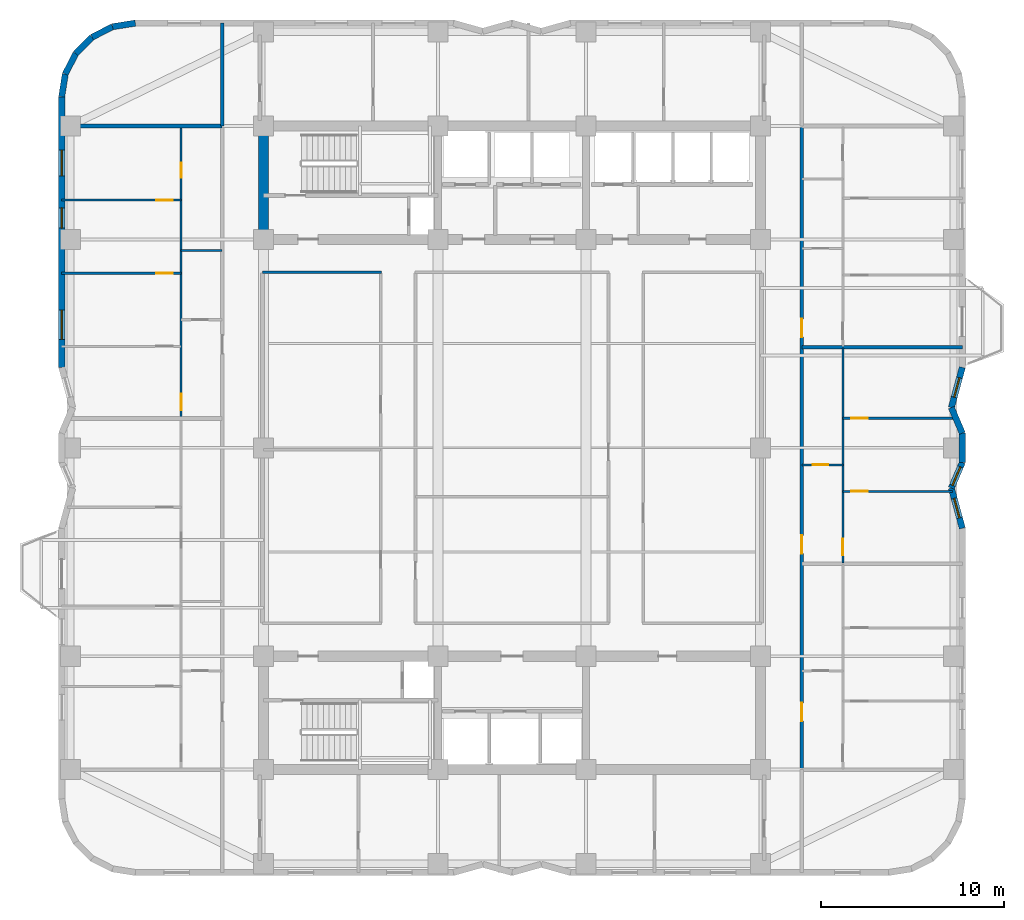
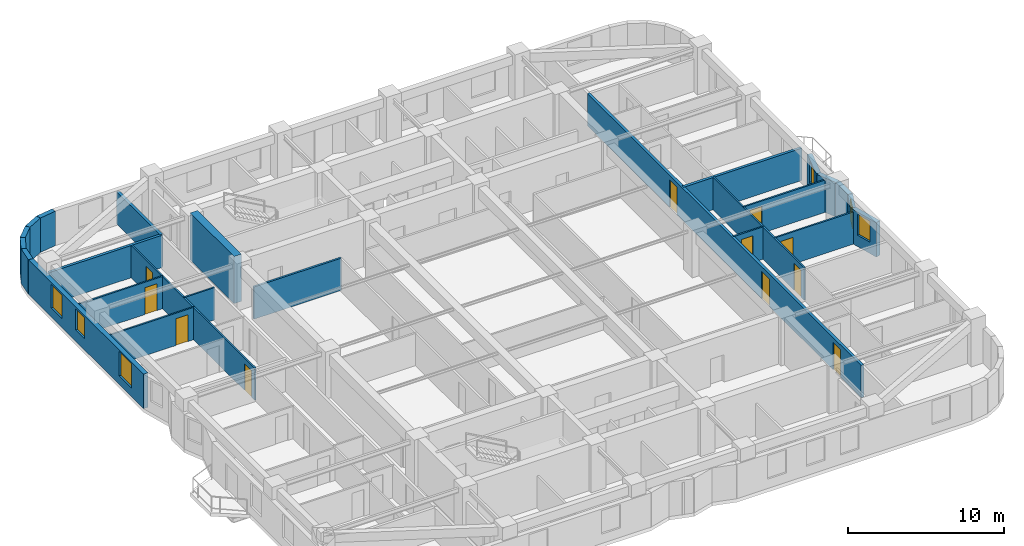
# One storey, part 5 of 9: 25 walls, 11 doors, 6 windows, 17 openings.
"""IFC4 building model written with IfcOpenShell, lengths in metres."""

import ifcopenshell
import ifcopenshell.guid

model = None  # the IFC model being written
_history = None  # IfcOwnerHistory: only IFC2X3 demands one
_inside = {}  # id of a spatial element -> (the spatial element, [elements in it])
_under = {}  # id of a project, library or spatial element -> (it, [spatial elements below it])
_declared = {}  # id of a project -> (the project, [libraries it declares])
_typed = {}  # id of a type object -> (the type object, [elements of that type])
_made_of = {}  # id of a material, layer set ... -> (it, [elements and type objects made of it])


def new_model(schema):
    """Start an empty IFC model of exactly this schema.

    Asked for "IFC4X3", IfcOpenShell would pick the latest addendum, in which some entities
    have other attributes; the version numbers below select the first issue.
    IFC2X3 requires an IfcOwnerHistory on every rooted entity: one is made here for all.
    """
    global model, _history
    if schema == "IFC4X3":
        model = ifcopenshell.file(schema_version=(4, 3, 0, 0))
    else:
        model = ifcopenshell.file(schema=schema)
    _inside.clear()
    _under.clear()
    _declared.clear()
    _typed.clear()
    _made_of.clear()
    _history = None
    if model.schema == "IFC2X3":
        org = make("IfcOrganization", Name="unknown")
        user = make(
            "IfcPersonAndOrganization",
            ThePerson=make("IfcPerson", FamilyName="unknown"),
            TheOrganization=org,
        )
        app = make(
            "IfcApplication",
            ApplicationDeveloper=org,
            Version="unknown",
            ApplicationFullName="unknown",
            ApplicationIdentifier="unknown",
        )
        _history = make(
            "IfcOwnerHistory",
            OwningUser=user,
            OwningApplication=app,
            ChangeAction="ADDED",
            CreationDate=0,
        )
    return model


def make(cls, **values):
    """One entity of the class cls with the attributes given. An attribute that is None is left unset."""
    return model.create_entity(
        cls, **{name: value for name, value in values.items() if value is not None}
    )


def rooted(cls, **values):
    """An entity with a GlobalId (a new one), such as an element, a storey or a relation."""
    return make(cls, GlobalId=ifcopenshell.guid.new(), OwnerHistory=_history, **values)


def si_unit(unit_type, name, prefix=None):
    """IfcSIUnit, for example si_unit("LENGTHUNIT", "METRE", prefix="MILLI")."""
    return make("IfcSIUnit", UnitType=unit_type, Prefix=prefix, Name=name)


def assignment(units):
    """IfcUnitAssignment: the units of a project."""
    return None if units is None else make("IfcUnitAssignment", Units=units)


def point(xyz):
    """IfcCartesianPoint."""
    return None if xyz is None else make("IfcCartesianPoint", Coordinates=xyz)


def direction(xyz):
    """IfcDirection."""
    return None if xyz is None else make("IfcDirection", DirectionRatios=xyz)


def frame(location, z_axis=None, x_axis=None):
    """IfcAxis2Placement3D, a coordinate frame: its origin and axes. An axis left out is left unset."""
    return make(
        "IfcAxis2Placement3D",
        Location=point(location),
        Axis=direction(z_axis),
        RefDirection=direction(x_axis),
    )


def frame_2d(location, x_axis=None):
    """IfcAxis2Placement2D, a coordinate frame in the plane: its origin and x axis."""
    return make(
        "IfcAxis2Placement2D", Location=point(location), RefDirection=direction(x_axis)
    )


def origin():
    """The frame at (0, 0, 0) with its axes left unset."""
    return frame((0.0, 0.0, 0.0))


def place(relative_to, where):
    """IfcLocalPlacement: puts the frame where relative to a parent placement (None: the world)."""
    return make(
        "IfcLocalPlacement", PlacementRelTo=relative_to, RelativePlacement=where
    )


def context(
    kind, dimensions, precision=None, world=None, true_north=None, identifier=None
):
    """IfcGeometricRepresentationContext, for example the 3D "Model" context."""
    return make(
        "IfcGeometricRepresentationContext",
        ContextIdentifier=identifier,
        ContextType=kind,
        CoordinateSpaceDimension=dimensions,
        Precision=precision,
        WorldCoordinateSystem=world,
        TrueNorth=true_north,
    )


def subcontext(parent, identifier, kind, view, scale=None):
    """IfcGeometricRepresentationSubContext, for example "Body" below "Model"."""
    return make(
        "IfcGeometricRepresentationSubContext",
        ContextIdentifier=identifier,
        ContextType=kind,
        ParentContext=parent,
        TargetScale=scale,
        TargetView=view,
    )


def project(units=None, contexts=None):
    """IfcProject with its units and contexts."""
    return rooted(
        "IfcProject",
        Name="project",
        RepresentationContexts=contexts,
        UnitsInContext=assignment(units),
    )


def spatial(cls, under=None, at=None, **own):
    """A site, building, storey or space (cls), placed at a placement, below another one or the project."""
    s = rooted(cls, ObjectPlacement=at, **own)
    if under is not None:
        _under.setdefault(under.id(), (under, []))[1].append(s)
    return s


def profile(cls, at=None, kind="AREA", **sizes):
    """A parametric profile (cls). Its sizes go by their IFC names, for example OverallWidth=200.0."""
    return make(cls, ProfileType=kind, Position=at, **sizes)


def rectangle(**sizes):
    """IfcRectangleProfileDef."""
    return profile("IfcRectangleProfileDef", **sizes)


def extrude(swept, where, along, depth):
    """IfcExtrudedAreaSolid: the profile swept, set in the frame where, extruded along a direction by depth."""
    return make(
        "IfcExtrudedAreaSolid",
        SweptArea=swept,
        Position=where,
        ExtrudedDirection=direction(along),
        Depth=depth,
    )


def shape(context_of_items, identifier, shape_type, items):
    """IfcShapeRepresentation: the items that make up one representation, for example the "Body"."""
    return make(
        "IfcShapeRepresentation",
        ContextOfItems=context_of_items,
        RepresentationIdentifier=identifier,
        RepresentationType=shape_type,
        Items=items,
    )


def material(Name=None, Category=None):
    """IfcMaterial."""
    return make("IfcMaterial", Name=Name, Category=Category)


def layer(
    of_material, thickness, ventilated=None, Name=None, Category=None, Priority=None
):
    """IfcMaterialLayer: one layer of a wall or slab, of a material (None: an air gap)."""
    return make(
        "IfcMaterialLayer",
        Material=of_material,
        LayerThickness=thickness,
        IsVentilated=ventilated,
        Name=Name,
        Category=Category,
        Priority=Priority,
    )


def layer_set(layers, Name=None):
    """IfcMaterialLayerSet."""
    return make("IfcMaterialLayerSet", MaterialLayers=layers, LayerSetName=Name)


def made_of(thing, what):
    """Note that an element or type object is made of a material, layer set ...; save() writes the relation."""
    if what is not None:
        _made_of.setdefault(what.id(), (what, []))[1].append(thing)
    return thing


def type_object(cls, material=None, **own):
    """A type object (cls), such as IfcWallType, which elements share."""
    return made_of(rooted(cls, **own), material)


def element(
    cls,
    number,
    at=None,
    inside=None,
    cuts=None,
    type_object=None,
    material=None,
    context=None,
    identifier="Body",
    shape_type=None,
    held_by="IfcProductDefinitionShape",
    body=None,
    shapes=None,
    **own,
):
    """One element of the class cls, such as IfcWall. Its Tag is "e" and its number.

    at: its placement. inside: the storey or other place that contains it. cuts: it is an
    opening in that element (IfcRelVoidsElement). A single representation is given by context,
    identifier, shape_type and body (its items); several are given by shapes. held_by: the class
    of the entity that holds the representations. save() writes the other relations.
    """
    e = rooted(cls, Tag="e%d" % number, ObjectPlacement=at, **own)
    if body is not None:
        shapes = [shape(context, identifier, shape_type, body)]
    if shapes is not None:
        e.Representation = make(held_by, Representations=shapes)
    if inside is not None:
        _inside.setdefault(inside.id(), (inside, []))[1].append(e)
    if cuts is not None:
        rooted(
            "IfcRelVoidsElement", RelatingBuildingElement=cuts, RelatedOpeningElement=e
        )
    if type_object is not None:
        _typed.setdefault(type_object.id(), (type_object, []))[1].append(e)
    return made_of(e, material)


def fill(opening, filler):
    """IfcRelFillsElement: the door or window that sits in an opening."""
    return rooted(
        "IfcRelFillsElement",
        RelatingOpeningElement=opening,
        RelatedBuildingElement=filler,
    )


def aggregate(whole, parts):
    """IfcRelAggregates: a whole, such as a stair, and the parts it consists of."""
    return rooted("IfcRelAggregates", RelatingObject=whole, RelatedObjects=parts)


def save(model, path):
    """Write the relations noted so far, then the file.

    IfcRelAggregates (storeys below a building ...), IfcRelContainedInSpatialStructure (elements
    in a storey), IfcRelDefinesByType, IfcRelAssociatesMaterial and IfcRelDeclares: one each for
    every whole, place, type object, material and project.
    """
    for whole, parts in _under.values():
        aggregate(whole, parts)
    for where, things in _inside.values():
        rooted(
            "IfcRelContainedInSpatialStructure",
            RelatedElements=things,
            RelatingStructure=where,
        )
    for kind, things in _typed.values():
        rooted("IfcRelDefinesByType", RelatedObjects=things, RelatingType=kind)
    for what, things in _made_of.values():
        rooted("IfcRelAssociatesMaterial", RelatedObjects=things, RelatingMaterial=what)
    for by, libraries in _declared.values():
        rooted("IfcRelDeclares", RelatingContext=by, RelatedDefinitions=libraries)
    model.write(path)


model = new_model("IFC4")

# Units and contexts
model_context = context("Model", 3, precision=1e-05, world=origin(), true_north=direction((0.0, 1.0)))
body_context = subcontext(model_context, "Body", "Model", "MODEL_VIEW")
ifc_project = project(units=[si_unit("LENGTHUNIT", "METRE"), si_unit("AREAUNIT", "SQUARE_METRE"), si_unit("VOLUMEUNIT", "CUBIC_METRE"), si_unit("PLANEANGLEUNIT", "RADIAN"), si_unit("MASSUNIT", "GRAM", prefix="KILO")], contexts=[model_context])

# Site, building, storey
site_placement = place(None, origin())
site = spatial("IfcSite", under=ifc_project, at=site_placement, CompositionType="ELEMENT")
building_placement = place(site_placement, origin())
building = spatial("IfcBuilding", under=site, at=building_placement, Name="Svetorya Sky Lyceum", CompositionType="ELEMENT")
storey_placement = place(building_placement, frame((0.0, 0.0, 92.0)))
storey = spatial("IfcBuildingStorey", under=building, at=storey_placement, Name="L22", CompositionType="ELEMENT", Elevation=92.0)

# Wall
ifc_material_1 = material(Name="Concrete C60/75", Category="concrete")
ifc_layer_1 = layer(ifc_material_1, 0.550048828125)
ifc_layer_set_1 = layer_set([ifc_layer_1], Name="Concrete C60/75")
wall_type_1 = type_object("IfcWallType", Name="WL-CORE-550", PredefinedType="SHEAR", material=ifc_layer_set_1)
wall_1_placement = place(storey_placement, frame((25.60009765625, 39.875, 0.0), z_axis=(0.0, 0.0, 1.0), x_axis=(0.0, 1.0, 0.0)))
element("IfcWall", 1, at=wall_1_placement, inside=storey, type_object=wall_type_1, Name="L22 NC West Core Shear Wall", PredefinedType="SHEAR", context=body_context, shape_type="SweptSolid", body=[
    extrude(rectangle(XDim=5.64990234375, YDim=0.550048828125, at=frame_2d((2.824951171875, 0.0))), origin(), (0.0, 0.0, 1.0), 3.699951171875),
])

# Wall, opening, window
ifc_material_2 = material(Name="Putilovo limestone rainscreen on autoclaved cellular masonry", Category="masonry")
ifc_layer_2 = layer(ifc_material_2, 0.340087890625)
ifc_layer_set_2 = layer_set([ifc_layer_2], Name="Putilovo limestone rainscreen on autoclaved cellular masonry")
wall_type_2 = type_object("IfcWallType", Name="WL-EXT-340", PredefinedType="SOLIDWALL", material=ifc_layer_set_2)
wall_2_placement = place(storey_placement, frame((63.830078125, 23.800048828125, 0.0), z_axis=(0.0, 0.0, 1.0), x_axis=(-0.263162701705, 0.964751466665, 0.0)))
wall_2 = element("IfcWall", 2, at=wall_2_placement, inside=storey, type_object=wall_type_2, Name="L22 Limestone Exterior Wall 18M", PredefinedType="SOLIDWALL", context=body_context, shape_type="SweptSolid", body=[
    extrude(rectangle(XDim=2.2802734375, YDim=0.340087890625, at=frame_2d((1.14013671875, 0.0))), origin(), (0.0, 0.0, 1.0), 2.699951171875),
])
opening_1_placement = place(wall_2_placement, frame((0.590087890625, 0.0, 0.889892578125)))
opening_1 = element("IfcOpeningElement", 3, at=opening_1_placement, cuts=wall_2, Name="Opening W-R3", PredefinedType="OPENING", context=body_context, shape_type="SweptSolid", body=[
    extrude(rectangle(XDim=1.10009765625, YDim=1.64990234375, at=frame_2d((0.550048828125, 0.824951171875))), frame((0.0, 0.179931640625, 0.0), z_axis=(0.0, -1.0, 0.0), x_axis=(1.0, 0.0, 0.0)), (0.0, 0.0, 1.0), 0.360107421875),
])
ifc_material_3 = material(Name="Thermally broken aluminium frame with triple low-E glazing", Category="aluminium")
window_type_1 = type_object("IfcWindowType", Name="WN-RES-110", PartitioningType="SINGLE_PANEL", PredefinedType="WINDOW", material=ifc_material_3)
window_1_placement = place(opening_1_placement, origin())
window_1 = element("IfcWindow", 4, at=window_1_placement, inside=storey, type_object=window_type_1, Name="L22 Facade Window W-R3.18M.1", OverallHeight=1.64990234375, OverallWidth=1.10009765625, PartitioningType="SINGLE_PANEL", PredefinedType="WINDOW", context=body_context, shape_type="SweptSolid", body=[
    extrude(rectangle(XDim=1.10009765625, YDim=1.64990234375, at=frame_2d((0.550048828125, 0.824951171875))), frame((0.0, 0.030029296875, 0.0), z_axis=(0.0, -1.0, 0.0), x_axis=(1.0, 0.0, 0.0)), (0.0, 0.0, 1.0), 0.06005859375),
])
fill(opening_1, window_1)

wall_3_placement = place(storey_placement, frame((63.22998046875, 26.0, 0.0), z_axis=(0.0, 0.0, 1.0), x_axis=(0.39399667932, 0.919111862988, 0.0)))
wall_3 = element("IfcWall", 5, at=wall_3_placement, inside=storey, type_object=wall_type_2, Name="L22 Limestone Exterior Wall 19M", PredefinedType="SOLIDWALL", context=body_context, shape_type="SweptSolid", body=[
    extrude(rectangle(XDim=1.523193359375, YDim=0.340087890625, at=frame_2d((0.76171875, 0.0))), origin(), (0.0, 0.0, 1.0), 2.699951171875),
])
opening_2_placement = place(wall_3_placement, frame((0.159912109375, 0.0, 0.889892578125)))
opening_2 = element("IfcOpeningElement", 6, at=opening_2_placement, cuts=wall_3, Name="Opening W-R3", PredefinedType="OPENING", context=body_context, shape_type="SweptSolid", body=[
    extrude(rectangle(XDim=1.10009765625, YDim=1.64990234375, at=frame_2d((0.550048828125, 0.824951171875))), frame((0.0, 0.179931640625, 0.0), z_axis=(0.0, -1.0, 0.0), x_axis=(1.0, 0.0, 0.0)), (0.0, 0.0, 1.0), 0.360107421875),
])
window_2_placement = place(opening_2_placement, origin())
window_2 = element("IfcWindow", 7, at=window_2_placement, inside=storey, type_object=window_type_1, Name="L22 Facade Window W-R3.19M.1", OverallHeight=1.64990234375, OverallWidth=1.10009765625, PartitioningType="SINGLE_PANEL", PredefinedType="WINDOW", context=body_context, shape_type="SweptSolid", body=[
    extrude(rectangle(XDim=1.10009765625, YDim=1.64990234375, at=frame_2d((0.550048828125, 0.824951171875))), frame((0.0, 0.030029296875, 0.0), z_axis=(0.0, -1.0, 0.0), x_axis=(1.0, 0.0, 0.0)), (0.0, 0.0, 1.0), 0.06005859375),
])
fill(opening_2, window_2)

# Walls
wall_4_placement = place(storey_placement, frame((63.830078125, 27.39990234375, 0.0), z_axis=(0.0, 0.0, 1.0), x_axis=(0.0, 1.0, 0.0)))
element("IfcWall", 8, at=wall_4_placement, inside=storey, type_object=wall_type_2, Name="L22 Limestone Exterior Wall 20M", PredefinedType="SOLIDWALL", context=body_context, shape_type="SweptSolid", body=[
    extrude(rectangle(XDim=1.60009765625, YDim=0.340087890625, at=frame_2d((0.800048828125, 0.0))), origin(), (0.0, 0.0, 1.0), 2.699951171875),
])
wall_5_placement = place(storey_placement, frame((63.830078125, 29.0, 0.0), z_axis=(0.0, 0.0, 1.0), x_axis=(-0.39399667932, 0.919111862988, 0.0)))
element("IfcWall", 9, at=wall_5_placement, inside=storey, type_object=wall_type_2, Name="L22 Limestone Exterior Wall 21M", PredefinedType="SOLIDWALL", context=body_context, shape_type="SweptSolid", body=[
    extrude(rectangle(XDim=1.523193359375, YDim=0.340087890625, at=frame_2d((0.76171875, 0.0))), origin(), (0.0, 0.0, 1.0), 2.699951171875),
])

# Wall, opening, window
wall_6_placement = place(storey_placement, frame((63.22998046875, 30.39990234375, 0.0), z_axis=(0.0, 0.0, 1.0), x_axis=(0.263135522356, 0.964758880174, 0.0)))
wall_6 = element("IfcWall", 10, at=wall_6_placement, inside=storey, type_object=wall_type_2, Name="L22 Limestone Exterior Wall 22M", PredefinedType="SOLIDWALL", context=body_context, shape_type="SweptSolid", body=[
    extrude(rectangle(XDim=2.280517578125, YDim=0.340087890625, at=frame_2d((1.14013671875, 0.0))), origin(), (0.0, 0.0, 1.0), 2.699951171875),
])
opening_3_placement = place(wall_6_placement, frame((0.590087890625, 0.0, 0.889892578125)))
opening_3 = element("IfcOpeningElement", 11, at=opening_3_placement, cuts=wall_6, Name="Opening W-R3", PredefinedType="OPENING", context=body_context, shape_type="SweptSolid", body=[
    extrude(rectangle(XDim=1.10009765625, YDim=1.64990234375, at=frame_2d((0.550048828125, 0.824951171875))), frame((0.0, 0.179931640625, 0.0), z_axis=(0.0, -1.0, 0.0), x_axis=(1.0, 0.0, 0.0)), (0.0, 0.0, 1.0), 0.360107421875),
])
window_3_placement = place(opening_3_placement, origin())
window_3 = element("IfcWindow", 12, at=window_3_placement, inside=storey, type_object=window_type_1, Name="L22 Facade Window W-R3.22M.1", OverallHeight=1.64990234375, OverallWidth=1.10009765625, PartitioningType="SINGLE_PANEL", PredefinedType="WINDOW", context=body_context, shape_type="SweptSolid", body=[
    extrude(rectangle(XDim=1.10009765625, YDim=1.64990234375, at=frame_2d((0.550048828125, 0.824951171875))), frame((0.0, 0.030029296875, 0.0), z_axis=(0.0, -1.0, 0.0), x_axis=(1.0, 0.0, 0.0)), (0.0, 0.0, 1.0), 0.06005859375),
])
fill(opening_3, window_3)

# Walls
wall_7_placement = place(storey_placement, frame((18.60009765625, 51.429931640625, 0.0), z_axis=(0.0, 0.0, 1.0), x_axis=(-0.98771582066, -0.156260864002, 0.0)))
element("IfcWall", 13, at=wall_7_placement, inside=storey, type_object=wall_type_2, Name="L22 Limestone Exterior Wall 35M", PredefinedType="SOLIDWALL", context=body_context, shape_type="SweptSolid", body=[
    extrude(rectangle(XDim=1.2607421875, YDim=0.340087890625, at=frame_2d((0.63037109375, 0.0))), origin(), (0.0, 0.0, 1.0), 2.699951171875),
])
for number, where, z_axis, x_axis, name in (
    (14, (17.354736328125, 51.23291015625, 0.0), (0.0, 0.0, 1.0), (-0.890993689142, -0.454015689056, 0.0), "L22 Limestone Exterior Wall 36M"),
    (15, (16.231201171875, 50.660400390625, 0.0), (0.0, 0.0, 1.0), (-0.707106781187, -0.707106781187, 0.0), "L22 Limestone Exterior Wall 37M"),
    (16, (15.339599609375, 49.768798828125, 0.0), (0.0, 0.0, 1.0), (-0.454015689056, -0.890993689142, 0.0), "L22 Limestone Exterior Wall 38M"),
):
    element("IfcWall", number, at=place(storey_placement, frame(where, z_axis=z_axis, x_axis=x_axis)), inside=storey, type_object=wall_type_2, Name=name, PredefinedType="SOLIDWALL", context=body_context, shape_type="SweptSolid", body=[
        extrude(rectangle(XDim=1.260986328125, YDim=0.340087890625, at=frame_2d((0.63037109375, 0.0))), origin(), (0.0, 0.0, 1.0), 2.699951171875),
    ])
wall_8_placement = place(storey_placement, frame((14.76708984375, 48.645263671875, 0.0), z_axis=(0.0, 0.0, 1.0), x_axis=(-0.156260864002, -0.98771582066, 0.0)))
element("IfcWall", 17, at=wall_8_placement, inside=storey, type_object=wall_type_2, Name="L22 Limestone Exterior Wall 39M", PredefinedType="SOLIDWALL", context=body_context, shape_type="SweptSolid", body=[
    extrude(rectangle(XDim=1.2607421875, YDim=0.340087890625, at=frame_2d((0.63037109375, 0.0))), origin(), (0.0, 0.0, 1.0), 2.699951171875),
])

# Wall, openings, windows
wall_9_placement = place(storey_placement, frame((14.570068359375, 47.39990234375, 0.0), z_axis=(0.0, 0.0, 1.0), x_axis=(0.0, -1.0, 0.0)))
wall_9 = element("IfcWall", 18, at=wall_9_placement, inside=storey, type_object=wall_type_2, Name="L22 Limestone Exterior Wall 40M", PredefinedType="SOLIDWALL", context=body_context, shape_type="SweptSolid", body=[
    extrude(rectangle(XDim=14.7998046875, YDim=0.340087890625, at=frame_2d((7.39990234375, 0.0))), origin(), (0.0, 0.0, 1.0), 2.699951171875),
])
opening_4_placement = place(wall_9_placement, frame((2.919921875, 0.0, 0.68994140625)))
opening_4 = element("IfcOpeningElement", 19, at=opening_4_placement, cuts=wall_9, Name="Opening W-R2", PredefinedType="OPENING", context=body_context, shape_type="SweptSolid", body=[
    extrude(rectangle(XDim=1.39990234375, YDim=1.85009765625, at=frame_2d((0.699951171875, 0.925048828125))), frame((0.0, 0.179931640625, 0.0), z_axis=(0.0, -1.0, 0.0), x_axis=(1.0, 0.0, 0.0)), (0.0, 0.0, 1.0), 0.360107421875),
])
opening_5_placement = place(wall_9_placement, frame((6.080078125, 0.0, 0.889892578125)))
opening_5 = element("IfcOpeningElement", 20, at=opening_5_placement, cuts=wall_9, Name="Opening W-R3", PredefinedType="OPENING", context=body_context, shape_type="SweptSolid", body=[
    extrude(rectangle(XDim=1.10009765625, YDim=1.64990234375, at=frame_2d((0.550048828125, 0.824951171875))), frame((0.0, 0.179931640625, 0.0), z_axis=(0.0, -1.0, 0.0), x_axis=(1.0, 0.0, 0.0)), (0.0, 0.0, 1.0), 0.360107421875),
])
opening_6_placement = place(wall_9_placement, frame((11.66259765625, 0.0, 0.679931640625)))
opening_6 = element("IfcOpeningElement", 21, at=opening_6_placement, cuts=wall_9, Name="Opening W-R4", PredefinedType="OPENING", context=body_context, shape_type="SweptSolid", body=[
    extrude(rectangle(XDim=1.60009765625, YDim=1.89990234375, at=frame_2d((0.800048828125, 0.949951171875))), frame((0.0, 0.179931640625, 0.0), z_axis=(0.0, -1.0, 0.0), x_axis=(1.0, 0.0, 0.0)), (0.0, 0.0, 1.0), 0.360107421875),
])
window_4_placement = place(opening_5_placement, origin())
window_4 = element("IfcWindow", 22, at=window_4_placement, inside=storey, type_object=window_type_1, Name="L22 Facade Window W-R3.40M.2", OverallHeight=1.64990234375, OverallWidth=1.10009765625, PartitioningType="SINGLE_PANEL", PredefinedType="WINDOW", context=body_context, shape_type="SweptSolid", body=[
    extrude(rectangle(XDim=1.10009765625, YDim=1.64990234375, at=frame_2d((0.550048828125, 0.824951171875))), frame((0.0, 0.030029296875, 0.0), z_axis=(0.0, -1.0, 0.0), x_axis=(1.0, 0.0, 0.0)), (0.0, 0.0, 1.0), 0.06005859375),
])
fill(opening_5, window_4)
window_type_2 = type_object("IfcWindowType", Name="WN-RES-140", PartitioningType="SINGLE_PANEL", PredefinedType="WINDOW", material=ifc_material_3)
window_5_placement = place(opening_4_placement, origin())
window_5 = element("IfcWindow", 23, at=window_5_placement, inside=storey, type_object=window_type_2, Name="L22 Facade Window W-R2.40M.3", OverallHeight=1.85009765625, OverallWidth=1.39990234375, PartitioningType="SINGLE_PANEL", PredefinedType="WINDOW", context=body_context, shape_type="SweptSolid", body=[
    extrude(rectangle(XDim=1.39990234375, YDim=1.85009765625, at=frame_2d((0.699951171875, 0.925048828125))), frame((0.0, 0.030029296875, 0.0), z_axis=(0.0, -1.0, 0.0), x_axis=(1.0, 0.0, 0.0)), (0.0, 0.0, 1.0), 0.06005859375),
])
fill(opening_4, window_5)
window_type_3 = type_object("IfcWindowType", Name="WN-RES-160", PartitioningType="DOUBLE_PANEL_VERTICAL", PredefinedType="WINDOW", material=ifc_material_3)
window_6_placement = place(opening_6_placement, origin())
window_6 = element("IfcWindow", 24, at=window_6_placement, inside=storey, type_object=window_type_3, Name="L22 Facade Window W-R4.40M.1", OverallHeight=1.89990234375, OverallWidth=1.60009765625, PartitioningType="SINGLE_PANEL", PredefinedType="WINDOW", context=body_context, shape_type="SweptSolid", body=[
    extrude(rectangle(XDim=1.60009765625, YDim=1.89990234375, at=frame_2d((0.800048828125, 0.949951171875))), frame((0.0, 0.030029296875, 0.0), z_axis=(0.0, -1.0, 0.0), x_axis=(1.0, 0.0, 0.0)), (0.0, 0.0, 1.0), 0.06005859375),
])
fill(opening_6, window_6)

# Wall
ifc_material_4 = material(Name="Twin-stud galvanized framing with double fireboard", Category="gypsum")
ifc_layer_3 = layer(ifc_material_4, 0.1201171875)
ifc_layer_set_3 = layer_set([ifc_layer_3], Name="Twin-stud galvanized framing with double fireboard")
wall_type_3 = type_object("IfcWallType", Name="WL-PART-120", PredefinedType="PARTITIONING", material=ifc_layer_set_3)
wall_10_placement = place(storey_placement, frame((21.10009765625, 39.0, 0.0), z_axis=(0.0, 0.0, 1.0), x_axis=(1.0, 0.0, 0.0)))
element("IfcWall", 25, at=wall_10_placement, inside=storey, type_object=wall_type_3, Name="L22 Interior Partition W2-WH2", PredefinedType="PARTITIONING", context=body_context, shape_type="SweptSolid", body=[
    extrude(rectangle(XDim=2.25, YDim=0.1201171875, at=frame_2d((1.125, 0.0))), origin(), (0.0, 0.0, 1.0), 2.530029296875),
])

# Wall, opening, door
wall_11_placement = place(storey_placement, frame((14.570068359375, 37.75, 0.0), z_axis=(0.0, 0.0, 1.0), x_axis=(1.0, 0.0, 0.0)))
wall_11 = element("IfcWall", 26, at=wall_11_placement, inside=storey, type_object=wall_type_3, Name="L22 Interior Partition W2-WL2", PredefinedType="PARTITIONING", context=body_context, shape_type="SweptSolid", body=[
    extrude(rectangle(XDim=6.530029296875, YDim=0.1201171875, at=frame_2d((3.26513671875, 0.0))), origin(), (0.0, 0.0, 1.0), 2.530029296875),
])
opening_7_placement = place(wall_11_placement, frame((5.179931640625, 0.0, 0.0)))
opening_7 = element("IfcOpeningElement", 27, at=opening_7_placement, cuts=wall_11, Name="Opening D-RM1", PredefinedType="OPENING", context=body_context, shape_type="SweptSolid", body=[
    extrude(rectangle(XDim=0.89990234375, YDim=2.10009765625, at=frame_2d((0.449951171875, 1.050048828125))), frame((0.0, 0.070068359375, 0.0), z_axis=(0.0, -1.0, 0.0), x_axis=(1.0, 0.0, 0.0)), (0.0, 0.0, 1.0), 0.14013671875),
])
ifc_material_5 = material(Name="Lacquered birch veneer internal door")
door_type_1 = type_object("IfcDoorType", Name="DR-INT-900", OperationType="SINGLE_SWING_LEFT", PredefinedType="DOOR", material=ifc_material_5)
door_1_placement = place(opening_7_placement, origin())
door_1 = element("IfcDoor", 28, at=door_1_placement, inside=storey, type_object=door_type_1, Name="Apartment W2 Bedroom 2 Door", OperationType="SINGLE_SWING_LEFT", OverallHeight=2.10009765625, OverallWidth=0.89990234375, PredefinedType="DOOR", context=body_context, shape_type="SweptSolid", body=[
    extrude(rectangle(XDim=0.89990234375, YDim=2.10009765625, at=frame_2d((0.449951171875, 1.050048828125))), frame((0.0, 0.02490234375, 0.0), z_axis=(0.0, -1.0, 0.0), x_axis=(1.0, 0.0, 0.0)), (0.0, 0.0, 1.0), 0.050048828125),
])
fill(opening_7, door_1)

wall_12_placement = place(storey_placement, frame((14.570068359375, 41.75, 0.0), z_axis=(0.0, 0.0, 1.0), x_axis=(1.0, 0.0, 0.0)))
wall_12 = element("IfcWall", 29, at=wall_12_placement, inside=storey, type_object=wall_type_3, Name="L22 Interior Partition W2-WL3", PredefinedType="PARTITIONING", context=body_context, shape_type="SweptSolid", body=[
    extrude(rectangle(XDim=6.530029296875, YDim=0.1201171875, at=frame_2d((3.26513671875, 0.0))), origin(), (0.0, 0.0, 1.0), 2.530029296875),
])
opening_8_placement = place(wall_12_placement, frame((5.179931640625, 0.0, 0.0)))
opening_8 = element("IfcOpeningElement", 30, at=opening_8_placement, cuts=wall_12, Name="Opening D-RM1", PredefinedType="OPENING", context=body_context, shape_type="SweptSolid", body=[
    extrude(rectangle(XDim=0.89990234375, YDim=2.10009765625, at=frame_2d((0.449951171875, 1.050048828125))), frame((0.0, 0.070068359375, 0.0), z_axis=(0.0, -1.0, 0.0), x_axis=(1.0, 0.0, 0.0)), (0.0, 0.0, 1.0), 0.14013671875),
])
door_2_placement = place(opening_8_placement, origin())
door_2 = element("IfcDoor", 31, at=door_2_placement, inside=storey, type_object=door_type_1, Name="Apartment W2 Bedroom 3 Door", OperationType="SINGLE_SWING_RIGHT", OverallHeight=2.10009765625, OverallWidth=0.89990234375, PredefinedType="DOOR", context=body_context, shape_type="SweptSolid", body=[
    extrude(rectangle(XDim=0.89990234375, YDim=2.10009765625, at=frame_2d((0.449951171875, 1.050048828125))), frame((0.0, 0.02490234375, 0.0), z_axis=(0.0, -1.0, 0.0), x_axis=(1.0, 0.0, 0.0)), (0.0, 0.0, 1.0), 0.050048828125),
])
fill(opening_8, door_2)

# Wall, openings, doors
wall_13_placement = place(storey_placement, frame((21.10009765625, 29.840087890625, 0.0), z_axis=(0.0, 0.0, 1.0), x_axis=(0.0, 1.0, 0.0)))
wall_13 = element("IfcWall", 32, at=wall_13_placement, inside=storey, type_object=wall_type_3, Name="L22 Interior Partition W2-WV", PredefinedType="PARTITIONING", context=body_context, shape_type="SweptSolid", body=[
    extrude(rectangle(XDim=15.919921875, YDim=0.1201171875, at=frame_2d((7.9599609375, 0.0))), origin(), (0.0, 0.0, 1.0), 2.530029296875),
])
opening_9_placement = place(wall_13_placement, frame((0.409912109375, 0.0, 0.0)))
opening_9 = element("IfcOpeningElement", 33, at=opening_9_placement, cuts=wall_13, Name="Opening D-RM1", PredefinedType="OPENING", context=body_context, shape_type="SweptSolid", body=[
    extrude(rectangle(XDim=0.89990234375, YDim=2.10009765625, at=frame_2d((0.449951171875, 1.050048828125))), frame((0.0, 0.070068359375, 0.0), z_axis=(0.0, -1.0, 0.0), x_axis=(1.0, 0.0, 0.0)), (0.0, 0.0, 1.0), 0.14013671875),
])
opening_10_placement = place(wall_13_placement, frame((13.125, 0.0, 0.0)))
opening_10 = element("IfcOpeningElement", 34, at=opening_10_placement, cuts=wall_13, Name="Opening D-BT2", PredefinedType="OPENING", context=body_context, shape_type="SweptSolid", body=[
    extrude(rectangle(XDim=0.820068359375, YDim=2.080078125, at=frame_2d((0.41015625, 1.0400390625))), frame((0.0, 0.070068359375, 0.0), z_axis=(0.0, -1.0, 0.0), x_axis=(1.0, 0.0, 0.0)), (0.0, 0.0, 1.0), 0.14013671875),
])
door_3_placement = place(opening_9_placement, origin())
door_3 = element("IfcDoor", 35, at=door_3_placement, inside=storey, type_object=door_type_1, Name="Apartment W2 Living Door", OperationType="SINGLE_SWING_LEFT", OverallHeight=2.10009765625, OverallWidth=0.89990234375, PredefinedType="DOOR", context=body_context, shape_type="SweptSolid", body=[
    extrude(rectangle(XDim=0.89990234375, YDim=2.10009765625, at=frame_2d((0.449951171875, 1.050048828125))), frame((0.0, 0.02490234375, 0.0), z_axis=(0.0, -1.0, 0.0), x_axis=(1.0, 0.0, 0.0)), (0.0, 0.0, 1.0), 0.050048828125),
])
fill(opening_9, door_3)
ifc_material_6 = material(Name="Compact moisture-resistant laminate closet door")
door_type_2 = type_object("IfcDoorType", Name="DR-WET-820", OperationType="SINGLE_SWING_LEFT", PredefinedType="DOOR", material=ifc_material_6)
door_4_placement = place(opening_10_placement, origin())
door_4 = element("IfcDoor", 36, at=door_4_placement, inside=storey, type_object=door_type_2, Name="Apartment W2 Study Door", OperationType="SINGLE_SWING_RIGHT", OverallHeight=2.080078125, OverallWidth=0.820068359375, PredefinedType="DOOR", context=body_context, shape_type="SweptSolid", body=[
    extrude(rectangle(XDim=0.820068359375, YDim=2.080078125, at=frame_2d((0.41015625, 1.0400390625))), frame((0.0, 0.02490234375, 0.0), z_axis=(0.0, -1.0, 0.0), x_axis=(1.0, 0.0, 0.0)), (0.0, 0.0, 1.0), 0.050048828125),
])
fill(opening_10, door_4)

# Wall, opening, door
wall_14_placement = place(storey_placement, frame((55.050048828125, 27.263916015625, 0.0), z_axis=(0.0, 0.0, 1.0), x_axis=(1.0, 0.0, 0.0)))
wall_14 = element("IfcWall", 37, at=wall_14_placement, inside=storey, type_object=wall_type_3, Name="L22 Interior Partition E2-WH1", PredefinedType="PARTITIONING", context=body_context, shape_type="SweptSolid", body=[
    extrude(rectangle(XDim=2.25, YDim=0.1201171875, at=frame_2d((1.125, 0.0))), origin(), (0.0, 0.0, 1.0), 2.530029296875),
])
opening_11_placement = place(wall_14_placement, frame((0.60009765625, 0.0, 0.0)))
opening_11 = element("IfcOpeningElement", 38, at=opening_11_placement, cuts=wall_14, Name="Opening D-BT1", PredefinedType="OPENING", context=body_context, shape_type="SweptSolid", body=[
    extrude(rectangle(XDim=0.85009765625, YDim=2.10009765625, at=frame_2d((0.425048828125, 1.050048828125))), frame((0.0, 0.070068359375, 0.0), z_axis=(0.0, -1.0, 0.0), x_axis=(1.0, 0.0, 0.0)), (0.0, 0.0, 1.0), 0.14013671875),
])
ifc_material_7 = material(Name="Moisture-resistant laminate bathroom door")
door_type_3 = type_object("IfcDoorType", Name="DR-WET-850", OperationType="SINGLE_SWING_LEFT", PredefinedType="DOOR", material=ifc_material_7)
door_5_placement = place(opening_11_placement, origin())
door_5 = element("IfcDoor", 39, at=door_5_placement, inside=storey, type_object=door_type_3, Name="Apartment E2 Bathroom Door", OperationType="SINGLE_SWING_LEFT", OverallHeight=2.10009765625, OverallWidth=0.85009765625, PredefinedType="DOOR", context=body_context, shape_type="SweptSolid", body=[
    extrude(rectangle(XDim=0.85009765625, YDim=2.10009765625, at=frame_2d((0.425048828125, 1.050048828125))), frame((0.0, 0.02490234375, 0.0), z_axis=(0.0, -1.0, 0.0), x_axis=(1.0, 0.0, 0.0)), (0.0, 0.0, 1.0), 0.050048828125),
])
fill(opening_11, door_5)

wall_15_placement = place(storey_placement, frame((57.300048828125, 25.81396484375, 0.0), z_axis=(0.0, 0.0, 1.0), x_axis=(1.0, 0.0, 0.0)))
wall_15 = element("IfcWall", 40, at=wall_15_placement, inside=storey, type_object=wall_type_3, Name="L22 Interior Partition E2-WL1", PredefinedType="PARTITIONING", context=body_context, shape_type="SweptSolid", body=[
    extrude(rectangle(XDim=5.980712890625, YDim=0.1201171875, at=frame_2d((2.990234375, 0.0))), origin(), (0.0, 0.0, 1.0), 2.530029296875),
])
opening_12_placement = place(wall_15_placement, frame((0.449951171875, 0.0, 0.0)))
opening_12 = element("IfcOpeningElement", 41, at=opening_12_placement, cuts=wall_15, Name="Opening D-RM1", PredefinedType="OPENING", context=body_context, shape_type="SweptSolid", body=[
    extrude(rectangle(XDim=0.89990234375, YDim=2.10009765625, at=frame_2d((0.449951171875, 1.050048828125))), frame((0.0, 0.070068359375, 0.0), z_axis=(0.0, -1.0, 0.0), x_axis=(1.0, 0.0, 0.0)), (0.0, 0.0, 1.0), 0.14013671875),
])
door_6_placement = place(opening_12_placement, origin())
door_6 = element("IfcDoor", 42, at=door_6_placement, inside=storey, type_object=door_type_1, Name="Apartment E2 Master Bedroom Door", OperationType="SINGLE_SWING_LEFT", OverallHeight=2.10009765625, OverallWidth=0.89990234375, PredefinedType="DOOR", context=body_context, shape_type="SweptSolid", body=[
    extrude(rectangle(XDim=0.89990234375, YDim=2.10009765625, at=frame_2d((0.449951171875, 1.050048828125))), frame((0.0, 0.02490234375, 0.0), z_axis=(0.0, -1.0, 0.0), x_axis=(1.0, 0.0, 0.0)), (0.0, 0.0, 1.0), 0.050048828125),
])
fill(opening_12, door_6)

wall_16_placement = place(storey_placement, frame((57.300048828125, 29.81396484375, 0.0), z_axis=(0.0, 0.0, 1.0), x_axis=(1.0, 0.0, 0.0)))
wall_16 = element("IfcWall", 43, at=wall_16_placement, inside=storey, type_object=wall_type_3, Name="L22 Interior Partition E2-WL2", PredefinedType="PARTITIONING", context=body_context, shape_type="SweptSolid", body=[
    extrude(rectangle(XDim=6.18115234375, YDim=0.1201171875, at=frame_2d((3.090576171875, 0.0))), origin(), (0.0, 0.0, 1.0), 2.530029296875),
])
opening_13_placement = place(wall_16_placement, frame((0.449951171875, 0.0, 0.0)))
opening_13 = element("IfcOpeningElement", 44, at=opening_13_placement, cuts=wall_16, Name="Opening D-RM1", PredefinedType="OPENING", context=body_context, shape_type="SweptSolid", body=[
    extrude(rectangle(XDim=0.89990234375, YDim=2.10009765625, at=frame_2d((0.449951171875, 1.050048828125))), frame((0.0, 0.070068359375, 0.0), z_axis=(0.0, -1.0, 0.0), x_axis=(1.0, 0.0, 0.0)), (0.0, 0.0, 1.0), 0.14013671875),
])
door_7_placement = place(opening_13_placement, origin())
door_7 = element("IfcDoor", 45, at=door_7_placement, inside=storey, type_object=door_type_1, Name="Apartment E2 Bedroom 2 Door", OperationType="SINGLE_SWING_RIGHT", OverallHeight=2.10009765625, OverallWidth=0.89990234375, PredefinedType="DOOR", context=body_context, shape_type="SweptSolid", body=[
    extrude(rectangle(XDim=0.89990234375, YDim=2.10009765625, at=frame_2d((0.449951171875, 1.050048828125))), frame((0.0, 0.02490234375, 0.0), z_axis=(0.0, -1.0, 0.0), x_axis=(1.0, 0.0, 0.0)), (0.0, 0.0, 1.0), 0.050048828125),
])
fill(opening_13, door_7)

wall_17_placement = place(storey_placement, frame((57.300048828125, 21.904052734375, 0.0), z_axis=(0.0, 0.0, 1.0), x_axis=(0.0, 1.0, 0.0)))
wall_17 = element("IfcWall", 46, at=wall_17_placement, inside=storey, type_object=wall_type_3, Name="L22 Interior Partition E2-WV", PredefinedType="PARTITIONING", context=body_context, shape_type="SweptSolid", body=[
    extrude(rectangle(XDim=11.755859375, YDim=0.1201171875, at=frame_2d((5.8779296875, 0.0))), origin(), (0.0, 0.0, 1.0), 2.530029296875),
])
opening_14_placement = place(wall_17_placement, frame((0.409912109375, 0.0, 0.0)))
opening_14 = element("IfcOpeningElement", 47, at=opening_14_placement, cuts=wall_17, Name="Opening D-RM1", PredefinedType="OPENING", context=body_context, shape_type="SweptSolid", body=[
    extrude(rectangle(XDim=0.89990234375, YDim=2.10009765625, at=frame_2d((0.449951171875, 1.050048828125))), frame((0.0, 0.070068359375, 0.0), z_axis=(0.0, -1.0, 0.0), x_axis=(1.0, 0.0, 0.0)), (0.0, 0.0, 1.0), 0.14013671875),
])
door_8_placement = place(opening_14_placement, origin())
door_8 = element("IfcDoor", 48, at=door_8_placement, inside=storey, type_object=door_type_1, Name="Apartment E2 Living Door", OperationType="SINGLE_SWING_RIGHT", OverallHeight=2.10009765625, OverallWidth=0.89990234375, PredefinedType="DOOR", context=body_context, shape_type="SweptSolid", body=[
    extrude(rectangle(XDim=0.89990234375, YDim=2.10009765625, at=frame_2d((0.449951171875, 1.050048828125))), frame((0.0, 0.02490234375, 0.0), z_axis=(0.0, -1.0, 0.0), x_axis=(1.0, 0.0, 0.0)), (0.0, 0.0, 1.0), 0.050048828125),
])
fill(opening_14, door_8)

# Walls
ifc_material_8 = material(Name="Autoclaved cellular masonry blockwork with acoustic render", Category="masonry")
ifc_layer_4 = layer(ifc_material_8, 0.14990234375)
ifc_layer_set_4 = layer_set([ifc_layer_4], Name="Autoclaved cellular masonry blockwork with acoustic render")
wall_type_4 = type_object("IfcWallType", Name="WL-PART-150", PredefinedType="PARTITIONING", material=ifc_layer_set_4)
wall_18_placement = place(storey_placement, frame((25.550048828125, 37.800048828125, 0.0), z_axis=(0.0, 0.0, 1.0), x_axis=(1.0, 0.0, 0.0)))
element("IfcWall", 49, at=wall_18_placement, inside=storey, type_object=wall_type_4, Name="L22 Interior Partition RL-CN-W", PredefinedType="PARTITIONING", context=body_context, shape_type="SweptSolid", body=[
    extrude(rectangle(XDim=6.5, YDim=0.14990234375, at=frame_2d((3.25, 0.0))), origin(), (0.0, 0.0, 1.0), 2.530029296875),
])
ifc_material_9 = material(Name="Autoclaved cellular masonry blockwork with gypsum plaster", Category="masonry")
ifc_layer_5 = layer(ifc_material_9, 0.199951171875)
ifc_layer_set_5 = layer_set([ifc_layer_5], Name="Autoclaved cellular masonry blockwork with gypsum plaster")
wall_type_5 = type_object("IfcWallType", Name="WL-PART-200", PredefinedType="PARTITIONING", material=ifc_layer_set_5)
wall_19_placement = place(storey_placement, frame((14.989990234375, 45.800048828125, 0.0), z_axis=(0.0, 0.0, 1.0), x_axis=(1.0, 0.0, 0.0)))
element("IfcWall", 50, at=wall_19_placement, inside=storey, type_object=wall_type_5, Name="L22 Interior Partition W-CAP-N", PredefinedType="PARTITIONING", context=body_context, shape_type="SweptSolid", body=[
    extrude(rectangle(XDim=8.360107421875, YDim=0.199951171875, at=frame_2d((4.18017578125, 0.0))), origin(), (0.0, 0.0, 1.0), 2.530029296875),
])
wall_20_placement = place(storey_placement, frame((55.050048828125, 33.699951171875, 0.0), z_axis=(0.0, 0.0, 1.0), x_axis=(1.0, 0.0, 0.0)))
element("IfcWall", 51, at=wall_20_placement, inside=storey, type_object=wall_type_5, Name="L22 Interior Partition E-PARTY-2", PredefinedType="PARTITIONING", context=body_context, shape_type="SweptSolid", body=[
    extrude(rectangle(XDim=8.780029296875, YDim=0.199951171875, at=frame_2d((4.39013671875, 0.0))), origin(), (0.0, 0.0, 1.0), 2.530029296875),
])

# Wall, openings, doors
wall_21_placement = place(storey_placement, frame((55.050048828125, 10.60009765625, 0.0), z_axis=(0.0, 0.0, 1.0), x_axis=(0.0, 1.0, 0.0)))
wall_21 = element("IfcWall", 52, at=wall_21_placement, inside=storey, type_object=wall_type_5, Name="L22 Interior Partition E-CORRW", PredefinedType="PARTITIONING", context=body_context, shape_type="SweptSolid", body=[
    extrude(rectangle(XDim=35.199951171875, YDim=0.199951171875, at=frame_2d((17.60009765625, 0.0))), origin(), (0.0, 0.0, 1.0), 2.530029296875),
])
opening_15_placement = place(wall_21_placement, frame((2.64990234375, 0.0, 0.0)))
opening_15 = element("IfcOpeningElement", 53, at=opening_15_placement, cuts=wall_21, Name="Opening D-APT1", PredefinedType="OPENING", context=body_context, shape_type="SweptSolid", body=[
    extrude(rectangle(XDim=1.0, YDim=2.14990234375, at=frame_2d((0.5, 1.074951171875))), frame((0.0, 0.10986328125, 0.0), z_axis=(0.0, -1.0, 0.0), x_axis=(1.0, 0.0, 0.0)), (0.0, 0.0, 1.0), 0.219970703125),
])
opening_16_placement = place(wall_21_placement, frame((11.81396484375, 0.0, 0.0)))
opening_16 = element("IfcOpeningElement", 54, at=opening_16_placement, cuts=wall_21, Name="Opening D-APT1", PredefinedType="OPENING", context=body_context, shape_type="SweptSolid", body=[
    extrude(rectangle(XDim=1.0, YDim=2.14990234375, at=frame_2d((0.5, 1.074951171875))), frame((0.0, 0.10986328125, 0.0), z_axis=(0.0, -1.0, 0.0), x_axis=(1.0, 0.0, 0.0)), (0.0, 0.0, 1.0), 0.219970703125),
])
opening_17_placement = place(wall_21_placement, frame((23.64990234375, 0.0, 0.0)))
opening_17 = element("IfcOpeningElement", 55, at=opening_17_placement, cuts=wall_21, Name="Opening D-APT1", PredefinedType="OPENING", context=body_context, shape_type="SweptSolid", body=[
    extrude(rectangle(XDim=1.0, YDim=2.14990234375, at=frame_2d((0.5, 1.074951171875))), frame((0.0, 0.10986328125, 0.0), z_axis=(0.0, -1.0, 0.0), x_axis=(1.0, 0.0, 0.0)), (0.0, 0.0, 1.0), 0.219970703125),
])
ifc_material_10 = material(Name="Insulated oak-veneered apartment entrance door")
door_type_4 = type_object("IfcDoorType", Name="DR-APT-1000", OperationType="SINGLE_SWING_LEFT", PredefinedType="DOOR", material=ifc_material_10)
door_9_placement = place(opening_15_placement, origin())
door_9 = element("IfcDoor", 56, at=door_9_placement, inside=storey, type_object=door_type_4, Name="L22 Apartment E1 Entrance Door", OperationType="SINGLE_SWING_RIGHT", OverallHeight=2.14990234375, OverallWidth=1.0, PredefinedType="DOOR", context=body_context, shape_type="SweptSolid", body=[
    extrude(rectangle(XDim=1.0, YDim=2.14990234375, at=frame_2d((0.5, 1.074951171875))), frame((0.0, 0.02490234375, 0.0), z_axis=(0.0, -1.0, 0.0), x_axis=(1.0, 0.0, 0.0)), (0.0, 0.0, 1.0), 0.050048828125),
])
fill(opening_15, door_9)
door_10_placement = place(opening_16_placement, origin())
door_10 = element("IfcDoor", 57, at=door_10_placement, inside=storey, type_object=door_type_4, Name="L22 Apartment E2 Entrance Door", OperationType="SINGLE_SWING_LEFT", OverallHeight=2.14990234375, OverallWidth=1.0, PredefinedType="DOOR", context=body_context, shape_type="SweptSolid", body=[
    extrude(rectangle(XDim=1.0, YDim=2.14990234375, at=frame_2d((0.5, 1.074951171875))), frame((0.0, 0.02490234375, 0.0), z_axis=(0.0, -1.0, 0.0), x_axis=(1.0, 0.0, 0.0)), (0.0, 0.0, 1.0), 0.050048828125),
])
fill(opening_16, door_10)
door_11_placement = place(opening_17_placement, origin())
door_11 = element("IfcDoor", 58, at=door_11_placement, inside=storey, type_object=door_type_4, Name="L22 Apartment E3 Entrance Door", OperationType="SINGLE_SWING_RIGHT", OverallHeight=2.14990234375, OverallWidth=1.0, PredefinedType="DOOR", context=body_context, shape_type="SweptSolid", body=[
    extrude(rectangle(XDim=1.0, YDim=2.14990234375, at=frame_2d((0.5, 1.074951171875))), frame((0.0, 0.02490234375, 0.0), z_axis=(0.0, -1.0, 0.0), x_axis=(1.0, 0.0, 0.0)), (0.0, 0.0, 1.0), 0.050048828125),
])
fill(opening_17, door_11)

# Wall
wall_22_placement = place(storey_placement, frame((23.35009765625, 45.800048828125, 0.0), z_axis=(0.0, 0.0, 1.0), x_axis=(0.0, 1.0, 0.0)))
element("IfcWall", 59, at=wall_22_placement, inside=storey, type_object=wall_type_5, Name="L22 Interior Partition WC-NW-END", PredefinedType="PARTITIONING", context=body_context, shape_type="SweptSolid", body=[
    extrude(rectangle(XDim=5.6298828125, YDim=0.199951171875, at=frame_2d((2.81494140625, 0.0))), origin(), (0.0, 0.0, 1.0), 2.530029296875),
])

save(model, "model.ifc")
